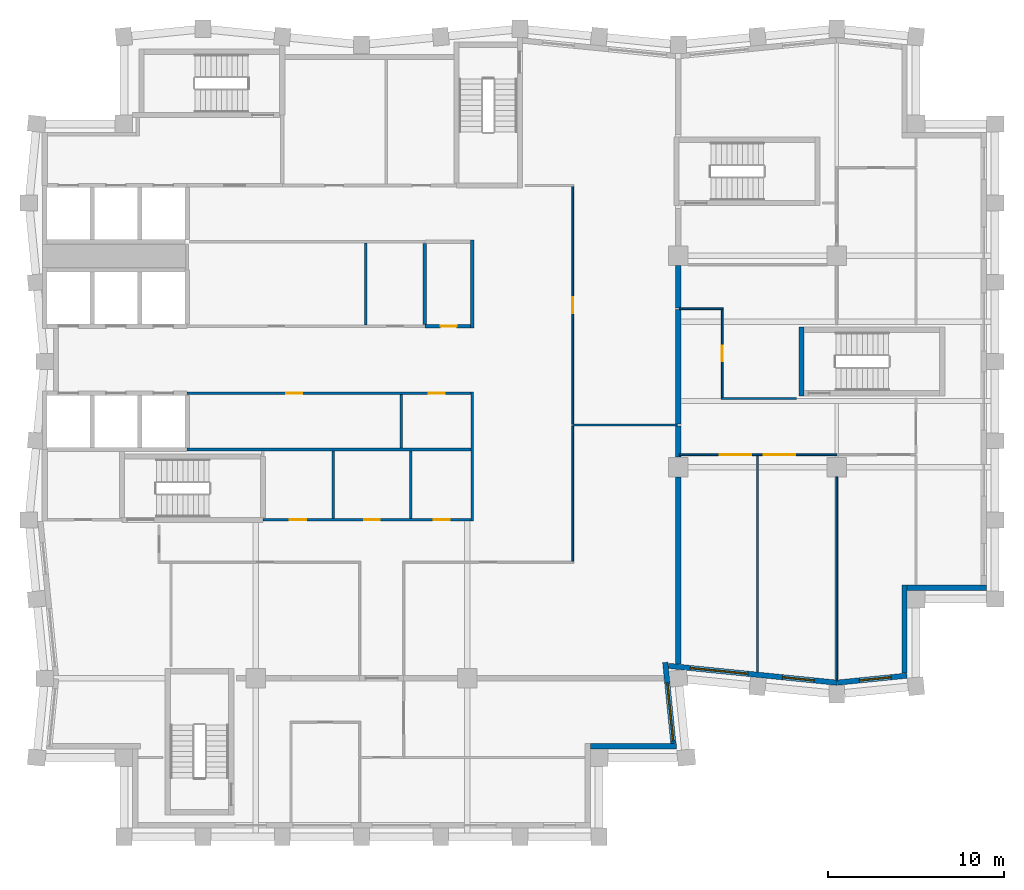
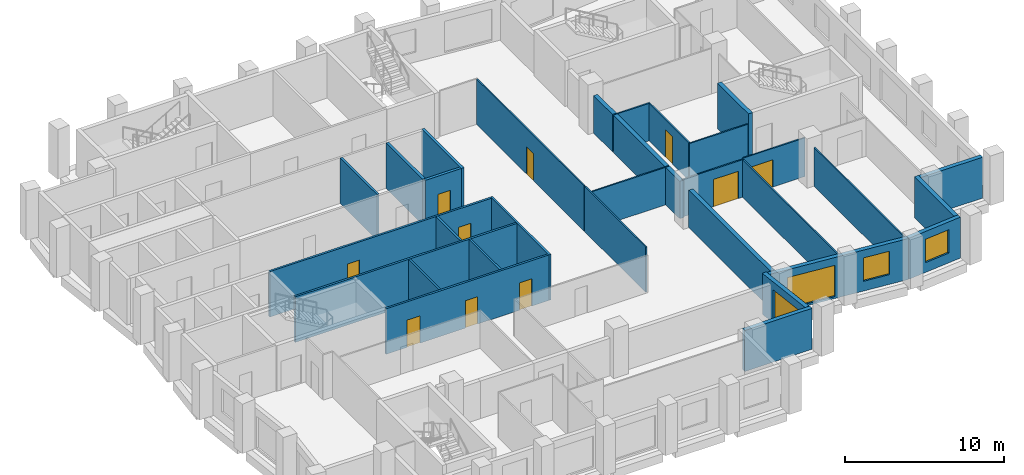
# One storey, part 4 of 8: 32 walls, 10 doors, 4 windows, 14 openings.
"""IFC4 building model written with IfcOpenShell, lengths in metres."""

from ifc_helpers import new_model, si_unit, direction, frame, frame_2d, origin, place, context, subcontext, project, spatial, rectangle, extrude, material, layer, layer_set, type_object, element, fill, save


model = new_model("IFC4")

# Units and contexts
model_context = context("Model", 3, precision=1e-05, world=origin(), true_north=direction((0.0, 1.0)))
body_context = subcontext(model_context, "Body", "Model", "MODEL_VIEW")
ifc_project = project(units=[si_unit("LENGTHUNIT", "METRE"), si_unit("AREAUNIT", "SQUARE_METRE"), si_unit("VOLUMEUNIT", "CUBIC_METRE"), si_unit("PLANEANGLEUNIT", "RADIAN"), si_unit("MASSUNIT", "GRAM", prefix="KILO")], contexts=[model_context])

# Site, building, storey
site_placement = place(None, origin())
site = spatial("IfcSite", under=ifc_project, at=site_placement, CompositionType="ELEMENT")
building_placement = place(site_placement, origin())
building = spatial("IfcBuilding", under=site, at=building_placement, Name="Brondeck Convention Tower", CompositionType="ELEMENT")
storey_placement = place(building_placement, frame((0.0, 0.0, 210.199951171875)))
storey = spatial("IfcBuildingStorey", under=building, at=storey_placement, Name="L51", CompositionType="ELEMENT", Elevation=210.199951171875)

# Walls
ifc_material_1 = material(Name="Concrete compartment wall C30/37", Category="concrete")
ifc_layer_1 = layer(ifc_material_1, 0.300048828125)
ifc_layer_set_1 = layer_set([ifc_layer_1], Name="Compartment wall 300")
wall_type_1 = type_object("IfcWallType", Name="Compartment wall 300", PredefinedType="PARTITIONING", material=ifc_layer_set_1)
wall_1_placement = place(storey_placement, frame((36.0, 27.823974609375, 0.0), z_axis=(0.0, 0.0, 1.0), x_axis=(0.0, 1.0, 0.0)))
element("IfcWall", 1, at=wall_1_placement, inside=storey, type_object=wall_type_1, Name="FLR-L51-W021", PredefinedType="PARTITIONING", context=body_context, shape_type="SweptSolid", body=[
    extrude(rectangle(XDim=10.62109375, YDim=0.300048828125, at=frame_2d((5.310546875, 0.0))), origin(), (0.0, 0.0, 1.0), 2.880126953125),
])
wall_2_placement = place(storey_placement, frame((36.0, 39.570068359375, 0.0), z_axis=(0.0, 0.0, 1.0), x_axis=(0.0, 1.0, 0.0)))
element("IfcWall", 2, at=wall_2_placement, inside=storey, type_object=wall_type_1, Name="FLR-L51-W035", PredefinedType="PARTITIONING", context=body_context, shape_type="SweptSolid", body=[
    extrude(rectangle(XDim=1.77197265625, YDim=0.300048828125, at=frame_2d((0.885986328125, 0.0))), origin(), (0.0, 0.0, 1.0), 2.880126953125),
])
wall_3_placement = place(storey_placement, frame((36.0, 41.44189453125, 0.0), z_axis=(0.0, 0.0, 1.0), x_axis=(0.0, 1.0, 0.0)))
element("IfcWall", 3, at=wall_3_placement, inside=storey, type_object=wall_type_1, Name="FLR-L51-W038", PredefinedType="PARTITIONING", context=body_context, shape_type="SweptSolid", body=[
    extrude(rectangle(XDim=6.508056640625, YDim=0.300048828125, at=frame_2d((3.25390625, 0.0))), origin(), (0.0, 0.0, 1.0), 2.880126953125),
])
wall_4_placement = place(storey_placement, frame((36.0, 48.050048828125, 0.0), z_axis=(0.0, 0.0, 1.0), x_axis=(0.0, 1.0, 0.0)))
element("IfcWall", 4, at=wall_4_placement, inside=storey, type_object=wall_type_1, Name="FLR-L51-W044", PredefinedType="PARTITIONING", context=body_context, shape_type="SweptSolid", body=[
    extrude(rectangle(XDim=2.39501953125, YDim=0.300048828125, at=frame_2d((1.197509765625, 0.0))), origin(), (0.0, 0.0, 1.0), 2.880126953125),
])

# Wall, openings, doors
ifc_material_2 = material(Name="Concrete C50/60", Category="concrete")
ifc_layer_2 = layer(ifc_material_2, 0.14990234375)
ifc_layer_set_2 = layer_set([ifc_layer_2], Name="Core beam-seat wall 150 Concrete C50/60")
wall_type_2 = type_object("IfcWallType", Name="Core beam-seat wall 150 Concrete C50/60", PredefinedType="SHEAR", material=ifc_layer_set_2)
wall_5_placement = place(storey_placement, frame((12.39990234375, 36.0, 0.0), z_axis=(0.0, 0.0, 1.0), x_axis=(1.0, 0.0, 0.0)))
wall_5 = element("IfcWall", 5, at=wall_5_placement, inside=storey, type_object=wall_type_2, Name="L51 core wall", PredefinedType="SHEAR", context=body_context, shape_type="SweptSolid", body=[
    extrude(rectangle(XDim=11.8251953125, YDim=0.14990234375, at=frame_2d((5.91259765625, 0.0))), origin(), (0.0, 0.0, 1.0), 3.5),
])
opening_1_placement = place(wall_5_placement, frame((1.52490234375, 0.0, 0.0)))
opening_1 = element("IfcOpeningElement", 6, at=opening_1_placement, cuts=wall_5, Name="Opening C29-03", PredefinedType="OPENING", context=body_context, shape_type="SweptSolid", body=[
    extrude(rectangle(XDim=0.949951171875, YDim=2.10009765625, at=frame_2d((0.47509765625, 1.050048828125))), frame((0.0, 0.0849609375, 0.0), z_axis=(0.0, -1.0, 0.0), x_axis=(1.0, 0.0, 0.0)), (0.0, 0.0, 1.0), 0.169921875),
])
opening_2_placement = place(wall_5_placement, frame((5.75, 0.0, 0.0)))
opening_2 = element("IfcOpeningElement", 7, at=opening_2_placement, cuts=wall_5, Name="Opening C29-04", PredefinedType="OPENING", context=body_context, shape_type="SweptSolid", body=[
    extrude(rectangle(XDim=0.89990234375, YDim=2.10009765625, at=frame_2d((0.449951171875, 1.050048828125))), frame((0.0, 0.0849609375, 0.0), z_axis=(0.0, -1.0, 0.0), x_axis=(1.0, 0.0, 0.0)), (0.0, 0.0, 1.0), 0.169921875),
])
opening_3_placement = place(wall_5_placement, frame((9.699951171875, 0.0, 0.0)))
opening_3 = element("IfcOpeningElement", 8, at=opening_3_placement, cuts=wall_5, Name="Opening C29-05", PredefinedType="OPENING", context=body_context, shape_type="SweptSolid", body=[
    extrude(rectangle(XDim=0.89990234375, YDim=2.10009765625, at=frame_2d((0.449951171875, 1.050048828125))), frame((0.0, 0.0849609375, 0.0), z_axis=(0.0, -1.0, 0.0), x_axis=(1.0, 0.0, 0.0)), (0.0, 0.0, 1.0), 0.169921875),
])
ifc_material_3 = material(Name="Steel fire door", Category="steel")
door_type_1 = type_object("IfcDoorType", Name="Room door 900x2100 EI 60", OperationType="NOTDEFINED", PredefinedType="DOOR", material=ifc_material_3)
door_1_placement = place(opening_2_placement, origin())
door_1 = element("IfcDoor", 9, at=door_1_placement, inside=storey, type_object=door_type_1, Name="L51 Room door FR-2", OperationType="SINGLE_SWING_LEFT", OverallHeight=2.10009765625, OverallWidth=0.89990234375, PredefinedType="DOOR", context=body_context, shape_type="SweptSolid", body=[
    extrude(rectangle(XDim=0.89990234375, YDim=2.10009765625, at=frame_2d((0.449951171875, 1.050048828125))), frame((0.0, 0.02490234375, 0.0), z_axis=(0.0, -1.0, 0.0), x_axis=(1.0, 0.0, 0.0)), (0.0, 0.0, 1.0), 0.050048828125),
])
fill(opening_2, door_1)
door_2_placement = place(opening_3_placement, origin())
door_2 = element("IfcDoor", 10, at=door_2_placement, inside=storey, type_object=door_type_1, Name="L51 Room door FR-3", OperationType="SINGLE_SWING_RIGHT", OverallHeight=2.10009765625, OverallWidth=0.89990234375, PredefinedType="DOOR", context=body_context, shape_type="SweptSolid", body=[
    extrude(rectangle(XDim=0.89990234375, YDim=2.10009765625, at=frame_2d((0.449951171875, 1.050048828125))), frame((0.0, 0.02490234375, 0.0), z_axis=(0.0, -1.0, 0.0), x_axis=(1.0, 0.0, 0.0)), (0.0, 0.0, 1.0), 0.050048828125),
])
fill(opening_3, door_2)
door_type_2 = type_object("IfcDoorType", Name="Room door 950x2100 EI 60", OperationType="NOTDEFINED", PredefinedType="DOOR", material=ifc_material_3)
door_3_placement = place(opening_1_placement, origin())
door_3 = element("IfcDoor", 11, at=door_3_placement, inside=storey, type_object=door_type_2, Name="L51 Room door FR-1", OperationType="SINGLE_SWING_RIGHT", OverallHeight=2.10009765625, OverallWidth=0.949951171875, PredefinedType="DOOR", context=body_context, shape_type="SweptSolid", body=[
    extrude(rectangle(XDim=0.949951171875, YDim=2.10009765625, at=frame_2d((0.47509765625, 1.050048828125))), frame((0.0, 0.02490234375, 0.0), z_axis=(0.0, -1.0, 0.0), x_axis=(1.0, 0.0, 0.0)), (0.0, 0.0, 1.0), 0.050048828125),
])
fill(opening_1, door_3)

# Walls
ifc_layer_3 = layer(ifc_material_2, 0.199951171875)
ifc_layer_set_3 = layer_set([ifc_layer_3], Name="Core beam-seat wall 200 Concrete C50/60")
wall_type_3 = type_object("IfcWallType", Name="Core beam-seat wall 200 Concrete C50/60", PredefinedType="SHEAR", material=ifc_layer_set_3)
wall_6_placement = place(storey_placement, frame((24.300048828125, 46.89990234375, 0.0), z_axis=(0.0, 0.0, 1.0), x_axis=(0.0, 1.0, 0.0)))
element("IfcWall", 12, at=wall_6_placement, inside=storey, type_object=wall_type_3, Name="L51 core wall", PredefinedType="SHEAR", context=body_context, shape_type="SweptSolid", body=[
    extrude(rectangle(XDim=5.0, YDim=0.199951171875, at=frame_2d((2.5, 0.0))), origin(), (0.0, 0.0, 1.0), 3.5),
])
ifc_material_4 = material(Name="Fire-rated gypsum board partition")
ifc_layer_4 = layer(ifc_material_4, 0.14990234375)
ifc_layer_set_4 = layer_set([ifc_layer_4], Name="Core partition 150 EI 60")
wall_type_4 = type_object("IfcWallType", Name="Core partition 150 EI 60", PredefinedType="PARTITIONING", material=ifc_layer_set_4)
wall_7_placement = place(storey_placement, frame((8.10009765625, 40.0, 0.0), z_axis=(0.0, 0.0, 1.0), x_axis=(1.0, 0.0, 0.0)))
element("IfcWall", 13, at=wall_7_placement, inside=storey, type_object=wall_type_4, Name="L51 core wall", PredefinedType="PARTITIONING", context=body_context, shape_type="SweptSolid", body=[
    extrude(rectangle(XDim=16.125, YDim=0.14990234375, at=frame_2d((8.0625, 0.0))), origin(), (0.0, 0.0, 1.0), 3.5),
])

# Wall, openings, doors
wall_8_placement = place(storey_placement, frame((8.10009765625, 43.199951171875, 0.0), z_axis=(0.0, 0.0, 1.0), x_axis=(1.0, 0.0, 0.0)))
wall_8 = element("IfcWall", 14, at=wall_8_placement, inside=storey, type_object=wall_type_4, Name="L51 core wall", PredefinedType="PARTITIONING", context=body_context, shape_type="SweptSolid", body=[
    extrude(rectangle(XDim=16.125, YDim=0.14990234375, at=frame_2d((8.0625, 0.0))), origin(), (0.0, 0.0, 1.0), 3.5),
])
opening_4_placement = place(wall_8_placement, frame((5.625, 0.0, 0.0)))
opening_4 = element("IfcOpeningElement", 15, at=opening_4_placement, cuts=wall_8, Name="Opening C29-09", PredefinedType="OPENING", context=body_context, shape_type="SweptSolid", body=[
    extrude(rectangle(XDim=0.89990234375, YDim=2.10009765625, at=frame_2d((0.449951171875, 1.050048828125))), frame((0.0, 0.0849609375, 0.0), z_axis=(0.0, -1.0, 0.0), x_axis=(1.0, 0.0, 0.0)), (0.0, 0.0, 1.0), 0.169921875),
])
opening_5_placement = place(wall_8_placement, frame((13.72509765625, 0.0, 0.0)))
opening_5 = element("IfcOpeningElement", 16, at=opening_5_placement, cuts=wall_8, Name="Opening C29-10", PredefinedType="OPENING", context=body_context, shape_type="SweptSolid", body=[
    extrude(rectangle(XDim=0.89990234375, YDim=2.10009765625, at=frame_2d((0.449951171875, 1.050048828125))), frame((0.0, 0.0849609375, 0.0), z_axis=(0.0, -1.0, 0.0), x_axis=(1.0, 0.0, 0.0)), (0.0, 0.0, 1.0), 0.169921875),
])
door_4_placement = place(opening_4_placement, origin())
door_4 = element("IfcDoor", 17, at=door_4_placement, inside=storey, type_object=door_type_1, Name="L51 Room door FZ-S-8.1-1", OperationType="SINGLE_SWING_RIGHT", OverallHeight=2.10009765625, OverallWidth=0.89990234375, PredefinedType="DOOR", context=body_context, shape_type="SweptSolid", body=[
    extrude(rectangle(XDim=0.89990234375, YDim=2.10009765625, at=frame_2d((0.449951171875, 1.050048828125))), frame((0.0, 0.02490234375, 0.0), z_axis=(0.0, -1.0, 0.0), x_axis=(1.0, 0.0, 0.0)), (0.0, 0.0, 1.0), 0.050048828125),
])
fill(opening_4, door_4)
door_5_placement = place(opening_5_placement, origin())
door_5 = element("IfcDoor", 18, at=door_5_placement, inside=storey, type_object=door_type_1, Name="L51 Room door FZ-S-8.1-2", OperationType="SINGLE_SWING_LEFT", OverallHeight=2.10009765625, OverallWidth=0.89990234375, PredefinedType="DOOR", context=body_context, shape_type="SweptSolid", body=[
    extrude(rectangle(XDim=0.89990234375, YDim=2.10009765625, at=frame_2d((0.449951171875, 1.050048828125))), frame((0.0, 0.02490234375, 0.0), z_axis=(0.0, -1.0, 0.0), x_axis=(1.0, 0.0, 0.0)), (0.0, 0.0, 1.0), 0.050048828125),
])
fill(opening_5, door_5)

# Walls
wall_9_placement = place(storey_placement, frame((16.39990234375, 36.074951171875, 0.0), z_axis=(0.0, 0.0, 1.0), x_axis=(0.0, 1.0, 0.0)))
element("IfcWall", 19, at=wall_9_placement, inside=storey, type_object=wall_type_4, Name="L51 core wall", PredefinedType="PARTITIONING", context=body_context, shape_type="SweptSolid", body=[
    extrude(rectangle(XDim=3.85009765625, YDim=0.14990234375, at=frame_2d((1.925048828125, 0.0))), origin(), (0.0, 0.0, 1.0), 3.5),
])
wall_10_placement = place(storey_placement, frame((18.25, 47.074951171875, 0.0), z_axis=(0.0, 0.0, 1.0), x_axis=(0.0, 1.0, 0.0)))
element("IfcWall", 20, at=wall_10_placement, inside=storey, type_object=wall_type_4, Name="L51 core wall", PredefinedType="PARTITIONING", context=body_context, shape_type="SweptSolid", body=[
    extrude(rectangle(XDim=4.650146484375, YDim=0.14990234375, at=frame_2d((2.3251953125, 0.0))), origin(), (0.0, 0.0, 1.0), 3.5),
])
wall_11_placement = place(storey_placement, frame((20.25, 40.074951171875, 0.0), z_axis=(0.0, 0.0, 1.0), x_axis=(0.0, 1.0, 0.0)))
element("IfcWall", 21, at=wall_11_placement, inside=storey, type_object=wall_type_4, Name="L51 core wall", PredefinedType="PARTITIONING", context=body_context, shape_type="SweptSolid", body=[
    extrude(rectangle(XDim=3.050048828125, YDim=0.14990234375, at=frame_2d((1.52490234375, 0.0))), origin(), (0.0, 0.0, 1.0), 3.5),
])
wall_12_placement = place(storey_placement, frame((20.800048828125, 36.074951171875, 0.0), z_axis=(0.0, 0.0, 1.0), x_axis=(0.0, 1.0, 0.0)))
element("IfcWall", 22, at=wall_12_placement, inside=storey, type_object=wall_type_4, Name="L51 core wall", PredefinedType="PARTITIONING", context=body_context, shape_type="SweptSolid", body=[
    extrude(rectangle(XDim=3.85009765625, YDim=0.14990234375, at=frame_2d((1.925048828125, 0.0))), origin(), (0.0, 0.0, 1.0), 3.5),
])
wall_13_placement = place(storey_placement, frame((24.300048828125, 35.925048828125, 0.0), z_axis=(0.0, 0.0, 1.0), x_axis=(0.0, 1.0, 0.0)))
element("IfcWall", 23, at=wall_13_placement, inside=storey, type_object=wall_type_4, Name="L51 core wall", PredefinedType="PARTITIONING", context=body_context, shape_type="SweptSolid", body=[
    extrude(rectangle(XDim=7.349853515625, YDim=0.14990234375, at=frame_2d((3.6748046875, 0.0))), origin(), (0.0, 0.0, 1.0), 3.5),
])
ifc_material_5 = material(Name="Precast concrete C50/60 bronze finish", Category="concrete")
ifc_layer_5 = layer(ifc_material_5, 0.070068359375, Name="Bronze precast facing")
ifc_material_6 = material(Name="Mineral wool")
ifc_layer_6 = layer(ifc_material_6, 0.159912109375, Name="Insulation")
ifc_material_7 = material(Name="Concrete C35/45", Category="concrete")
ifc_layer_7 = layer(ifc_material_7, 0.070068359375, Name="Backing")
ifc_layer_set_5 = layer_set([ifc_layer_5, ifc_layer_6, ifc_layer_7], Name="External infill wall, precast concrete C50/60 bronze facing")
wall_type_5 = type_object("IfcWallType", Name="External infill wall, precast concrete C50/60 bronze facing", PredefinedType="SOLIDWALL", material=ifc_layer_set_5)
wall_14_placement = place(storey_placement, frame((35.8974609375, 23.14990234375, 0.0), z_axis=(0.0, 0.0, 1.0), x_axis=(-1.0, 0.0, 0.0)))
element("IfcWall", 24, at=wall_14_placement, inside=storey, type_object=wall_type_5, Name="ENV-EW-L51-P2-NC-SEB18-02", PredefinedType="SOLIDWALL", context=body_context, shape_type="SweptSolid", body=[
    extrude(rectangle(XDim=4.8974609375, YDim=0.300048828125, at=frame_2d((2.44873046875, 0.0))), origin(), (0.0, 0.0, 1.0), 3.150146484375),
])

# Wall, opening, window
wall_15_placement = place(storey_placement, frame((35.255859375, 27.908203125, 0.0), z_axis=(0.0, 0.0, 1.0), x_axis=(0.099535070904, -0.995034054523, 0.0)))
wall_15 = element("IfcWall", 25, at=wall_15_placement, inside=storey, type_object=wall_type_5, Name="ENV-EW-L51-P2-B-E-00", PredefinedType="SOLIDWALL", context=body_context, shape_type="SweptSolid", body=[
    extrude(rectangle(XDim=4.6259765625, YDim=0.300048828125, at=frame_2d((2.31298828125, 0.0))), origin(), (0.0, 0.0, 1.0), 3.150146484375),
])
opening_6_placement = place(wall_15_placement, frame((1.176025390625, 0.0, 0.14990234375)))
opening_6 = element("IfcOpeningElement", 26, at=opening_6_placement, cuts=wall_15, Name="Opening W9", PredefinedType="OPENING", context=body_context, shape_type="SweptSolid", body=[
    extrude(rectangle(XDim=3.300048828125, YDim=2.39990234375, at=frame_2d((1.64990234375, 1.199951171875))), frame((0.0, 0.159912109375, 0.0), z_axis=(0.0, -1.0, 0.0), x_axis=(1.0, 0.0, 0.0)), (0.0, 0.0, 1.0), 0.320068359375),
])
ifc_material_8 = material(Name="Bronze tinted double glazing", Category="glass")
window_type_1 = type_object("IfcWindowType", Name="Glazed flute window, bronze tinted", PartitioningType="SINGLE_PANEL", PredefinedType="WINDOW", material=ifc_material_8)
window_1_placement = place(opening_6_placement, origin())
window_1 = element("IfcWindow", 27, at=window_1_placement, inside=storey, type_object=window_type_1, Name="ENV-WN-L51-P2-B-E-00", OverallHeight=2.39990234375, OverallWidth=3.300048828125, PartitioningType="SINGLE_PANEL", PredefinedType="WINDOW", context=body_context, shape_type="SweptSolid", body=[
    extrude(rectangle(XDim=3.300048828125, YDim=2.39990234375, at=frame_2d((1.64990234375, 1.199951171875))), frame((0.0, 0.030029296875, 0.0), z_axis=(0.0, -1.0, 0.0), x_axis=(1.0, 0.0, 0.0)), (0.0, 0.0, 1.0), 0.06005859375),
])
fill(opening_6, window_1)

# Wall, openings, windows
wall_16_placement = place(storey_placement, frame((45.014892578125, 26.751708984375, 0.0), z_axis=(0.0, 0.0, 1.0), x_axis=(-0.9950379439, 0.099496181828, 0.0)))
wall_16 = element("IfcWall", 28, at=wall_16_placement, inside=storey, type_object=wall_type_5, Name="ENV-EW-L51-P2-A-S-00", PredefinedType="SOLIDWALL", context=body_context, shape_type="SweptSolid", body=[
    extrude(rectangle(XDim=9.621337890625, YDim=0.300048828125, at=frame_2d((4.810546875, 0.0))), origin(), (0.0, 0.0, 1.0), 3.150146484375),
])
opening_7_placement = place(wall_16_placement, frame((1.311279296875, 0.0, 0.75)))
opening_7 = element("IfcOpeningElement", 29, at=opening_7_placement, cuts=wall_16, Name="Opening W10", PredefinedType="OPENING", context=body_context, shape_type="SweptSolid", body=[
    extrude(rectangle(XDim=1.800048828125, YDim=1.800048828125, at=frame_2d((0.89990234375, 0.89990234375))), frame((0.0, 0.159912109375, 0.0), z_axis=(0.0, -1.0, 0.0), x_axis=(1.0, 0.0, 0.0)), (0.0, 0.0, 1.0), 0.320068359375),
])
opening_8_placement = place(wall_16_placement, frame((5.08349609375, 0.0, 0.14990234375)))
opening_8 = element("IfcOpeningElement", 30, at=opening_8_placement, cuts=wall_16, Name="Opening W9", PredefinedType="OPENING", context=body_context, shape_type="SweptSolid", body=[
    extrude(rectangle(XDim=3.300048828125, YDim=2.39990234375, at=frame_2d((1.64990234375, 1.199951171875))), frame((0.0, 0.159912109375, 0.0), z_axis=(0.0, -1.0, 0.0), x_axis=(1.0, 0.0, 0.0)), (0.0, 0.0, 1.0), 0.320068359375),
])
window_2_placement = place(opening_8_placement, origin())
window_2 = element("IfcWindow", 31, at=window_2_placement, inside=storey, type_object=window_type_1, Name="ENV-WN-L51-P2-A-S-00", OverallHeight=2.39990234375, OverallWidth=3.300048828125, PartitioningType="SINGLE_PANEL", PredefinedType="WINDOW", context=body_context, shape_type="SweptSolid", body=[
    extrude(rectangle(XDim=3.300048828125, YDim=2.39990234375, at=frame_2d((1.64990234375, 1.199951171875))), frame((0.0, 0.030029296875, 0.0), z_axis=(0.0, -1.0, 0.0), x_axis=(1.0, 0.0, 0.0)), (0.0, 0.0, 1.0), 0.06005859375),
])
fill(opening_8, window_2)
window_type_2 = type_object("IfcWindowType", Name="Punched window, bronze tinted", PartitioningType="SINGLE_PANEL", PredefinedType="WINDOW", material=ifc_material_8)
window_3_placement = place(opening_7_placement, origin())
window_3 = element("IfcWindow", 32, at=window_3_placement, inside=storey, type_object=window_type_2, Name="ENV-WN-L51-P2-A-S-01", OverallHeight=1.800048828125, OverallWidth=1.800048828125, PartitioningType="SINGLE_PANEL", PredefinedType="WINDOW", context=body_context, shape_type="SweptSolid", body=[
    extrude(rectangle(XDim=1.800048828125, YDim=1.800048828125, at=frame_2d((0.89990234375, 0.89990234375))), frame((0.0, 0.030029296875, 0.0), z_axis=(0.0, -1.0, 0.0), x_axis=(1.0, 0.0, 0.0)), (0.0, 0.0, 1.0), 0.06005859375),
])
fill(opening_7, window_3)

# Wall, opening, window
wall_17_placement = place(storey_placement, frame((48.985107421875, 27.151611328125, 0.0), z_axis=(0.0, 0.0, 1.0), x_axis=(-0.995037798293, -0.099497638, 0.0)))
wall_17 = element("IfcWall", 33, at=wall_17_placement, inside=storey, type_object=wall_type_5, Name="ENV-EW-L51-P2-A-S-02", PredefinedType="SOLIDWALL", context=body_context, shape_type="SweptSolid", body=[
    extrude(rectangle(XDim=3.97509765625, YDim=0.300048828125, at=frame_2d((1.987548828125, 0.0))), origin(), (0.0, 0.0, 1.0), 3.150146484375),
])
opening_9_placement = place(wall_17_placement, frame((0.90869140625, 0.0, 0.75)))
opening_9 = element("IfcOpeningElement", 34, at=opening_9_placement, cuts=wall_17, Name="Opening W10", PredefinedType="OPENING", context=body_context, shape_type="SweptSolid", body=[
    extrude(rectangle(XDim=1.800048828125, YDim=1.800048828125, at=frame_2d((0.89990234375, 0.89990234375))), frame((0.0, 0.159912109375, 0.0), z_axis=(0.0, -1.0, 0.0), x_axis=(1.0, 0.0, 0.0)), (0.0, 0.0, 1.0), 0.320068359375),
])
window_4_placement = place(opening_9_placement, origin())
window_4 = element("IfcWindow", 35, at=window_4_placement, inside=storey, type_object=window_type_2, Name="ENV-WN-L51-P2-A-S-02", OverallHeight=1.800048828125, OverallWidth=1.800048828125, PartitioningType="SINGLE_PANEL", PredefinedType="WINDOW", context=body_context, shape_type="SweptSolid", body=[
    extrude(rectangle(XDim=1.800048828125, YDim=1.800048828125, at=frame_2d((0.89990234375, 0.89990234375))), frame((0.0, 0.030029296875, 0.0), z_axis=(0.0, -1.0, 0.0), x_axis=(1.0, 0.0, 0.0)), (0.0, 0.0, 1.0), 0.06005859375),
])
fill(opening_9, window_4)

# Walls
wall_18_placement = place(storey_placement, frame((48.85009765625, 32.300048828125, 0.0), z_axis=(0.0, 0.0, 1.0), x_axis=(0.0, -1.0, 0.0)))
element("IfcWall", 36, at=wall_18_placement, inside=storey, type_object=wall_type_5, Name="ENV-EW-L51-P2-NC-SEA54-01", PredefinedType="SOLIDWALL", context=body_context, shape_type="SweptSolid", body=[
    extrude(rectangle(XDim=5.009765625, YDim=0.300048828125, at=frame_2d((2.5048828125, 0.0))), origin(), (0.0, 0.0, 1.0), 3.150146484375),
])
wall_19_placement = place(storey_placement, frame((53.5, 32.14990234375, 0.0), z_axis=(0.0, 0.0, 1.0), x_axis=(-1.0, 0.0, 0.0)))
element("IfcWall", 37, at=wall_19_placement, inside=storey, type_object=wall_type_5, Name="ENV-EW-L51-P2-NC-SEA54-02", PredefinedType="SOLIDWALL", context=body_context, shape_type="SweptSolid", body=[
    extrude(rectangle(XDim=4.501953125, YDim=0.300048828125, at=frame_2d((2.2509765625, 0.0))), origin(), (0.0, 0.0, 1.0), 3.150146484375),
])

# Wall, opening, door
ifc_layer_8 = layer(ifc_material_4, 0.199951171875)
ifc_layer_set_6 = layer_set([ifc_layer_8], Name="Riser wall 200 EI 120")
wall_type_6 = type_object("IfcWallType", Name="Riser wall 200 EI 120", PredefinedType="PARTITIONING", material=ifc_layer_set_6)
wall_20_placement = place(storey_placement, frame((21.60009765625, 47.0, 0.0), z_axis=(0.0, 0.0, 1.0), x_axis=(1.0, 0.0, 0.0)))
wall_20 = element("IfcWall", 38, at=wall_20_placement, inside=storey, type_object=wall_type_6, Name="L51 core wall", PredefinedType="PARTITIONING", context=body_context, shape_type="SweptSolid", body=[
    extrude(rectangle(XDim=2.599853515625, YDim=0.199951171875, at=frame_2d((1.2998046875, 0.0))), origin(), (0.0, 0.0, 1.0), 3.5),
])
opening_10_placement = place(wall_20_placement, frame((0.89990234375, 0.0, 0.0)))
opening_10 = element("IfcOpeningElement", 39, at=opening_10_placement, cuts=wall_20, Name="Opening C29-02", PredefinedType="OPENING", context=body_context, shape_type="SweptSolid", body=[
    extrude(rectangle(XDim=0.89990234375, YDim=2.10009765625, at=frame_2d((0.449951171875, 1.050048828125))), frame((0.0, 0.10986328125, 0.0), z_axis=(0.0, -1.0, 0.0), x_axis=(1.0, 0.0, 0.0)), (0.0, 0.0, 1.0), 0.219970703125),
])
door_type_3 = type_object("IfcDoorType", Name="Riser door 900x2100 EI 120", OperationType="NOTDEFINED", PredefinedType="DOOR", material=ifc_material_3)
door_6_placement = place(opening_10_placement, origin())
door_6 = element("IfcDoor", 40, at=door_6_placement, inside=storey, type_object=door_type_3, Name="L51 Riser door EN-1", OperationType="SINGLE_SWING_LEFT", OverallHeight=2.10009765625, OverallWidth=0.89990234375, PredefinedType="DOOR", context=body_context, shape_type="SweptSolid", body=[
    extrude(rectangle(XDim=0.89990234375, YDim=2.10009765625, at=frame_2d((0.449951171875, 1.050048828125))), frame((0.0, 0.02490234375, 0.0), z_axis=(0.0, -1.0, 0.0), x_axis=(1.0, 0.0, 0.0)), (0.0, 0.0, 1.0), 0.050048828125),
])
fill(opening_10, door_6)

# Walls
wall_21_placement = place(storey_placement, frame((21.60009765625, 47.10009765625, 0.0), z_axis=(0.0, 0.0, 1.0), x_axis=(0.0, 1.0, 0.0)))
element("IfcWall", 41, at=wall_21_placement, inside=storey, type_object=wall_type_6, Name="L51 core wall", PredefinedType="PARTITIONING", context=body_context, shape_type="SweptSolid", body=[
    extrude(rectangle(XDim=4.599853515625, YDim=0.199951171875, at=frame_2d((2.2998046875, 0.0))), origin(), (0.0, 0.0, 1.0), 3.5),
])
ifc_material_9 = material(Name="Gypsum board partition on steel studs", Category="steel")
ifc_layer_9 = layer(ifc_material_9, 0.10009765625)
ifc_layer_set_7 = layer_set([ifc_layer_9], Name="Room partition 100")
wall_type_7 = type_object("IfcWallType", Name="Room partition 100", PredefinedType="PARTITIONING", material=ifc_layer_set_7)
wall_22_placement = place(storey_placement, frame((45.0, 38.445068359375, 0.0), z_axis=(0.0, 0.0, 1.0), x_axis=(0.0, -1.0, 0.0)))
element("IfcWall", 42, at=wall_22_placement, inside=storey, type_object=wall_type_7, Name="FLR-L51-W030", PredefinedType="PARTITIONING", context=body_context, shape_type="SweptSolid", body=[
    extrude(rectangle(XDim=11.52099609375, YDim=0.10009765625, at=frame_2d((5.760498046875, 0.0))), origin(), (0.0, 0.0, 1.0), 2.97998046875),
])
wall_23_placement = place(storey_placement, frame((40.5, 39.64990234375, 0.0), z_axis=(0.0, 0.0, 1.0), x_axis=(0.0, -1.0, 0.0)))
element("IfcWall", 43, at=wall_23_placement, inside=storey, type_object=wall_type_7, Name="FLR-L51-W031", PredefinedType="PARTITIONING", context=body_context, shape_type="SweptSolid", body=[
    extrude(rectangle(XDim=12.27587890625, YDim=0.10009765625, at=frame_2d((6.137939453125, 0.0))), origin(), (0.0, 0.0, 1.0), 2.880126953125),
])

# Wall, opening, door
wall_24_placement = place(storey_placement, frame((40.5, 39.699951171875, 0.0), z_axis=(0.0, 0.0, 1.0), x_axis=(-1.0, 0.0, 0.0)))
wall_24 = element("IfcWall", 44, at=wall_24_placement, inside=storey, type_object=wall_type_7, Name="FLR-L51-W032", PredefinedType="PARTITIONING", context=body_context, shape_type="SweptSolid", body=[
    extrude(rectangle(XDim=4.449951171875, YDim=0.10009765625, at=frame_2d((2.22509765625, 0.0))), origin(), (0.0, 0.0, 1.0), 2.880126953125),
])
opening_11_placement = place(wall_24_placement, frame((0.35400390625, 0.0, 0.0)))
opening_11 = element("IfcOpeningElement", 45, at=opening_11_placement, cuts=wall_24, Name="Opening OF-L-004", PredefinedType="OPENING", context=body_context, shape_type="SweptSolid", body=[
    extrude(rectangle(XDim=1.800048828125, YDim=2.10009765625, at=frame_2d((0.89990234375, 1.050048828125))), frame((0.0, 0.06005859375, 0.0), z_axis=(0.0, -1.0, 0.0), x_axis=(1.0, 0.0, 0.0)), (0.0, 0.0, 1.0), 0.1201171875),
])
ifc_material_10 = material(Name="Glazed timber double door", Category="wood")
door_type_4 = type_object("IfcDoorType", Name="Double door 1800", OperationType="DOUBLE_DOOR_SINGLE_SWING", PredefinedType="DOOR", material=ifc_material_10)
door_7_placement = place(opening_11_placement, origin())
door_7 = element("IfcDoor", 46, at=door_7_placement, inside=storey, type_object=door_type_4, Name="Door OF-L-004", OperationType="DOUBLE_DOOR_SINGLE_SWING", OverallHeight=2.10009765625, OverallWidth=1.800048828125, PredefinedType="DOOR", context=body_context, shape_type="SweptSolid", body=[
    extrude(rectangle(XDim=1.800048828125, YDim=2.10009765625, at=frame_2d((0.89990234375, 1.050048828125))), frame((0.0, 0.02490234375, 0.0), z_axis=(0.0, -1.0, 0.0), x_axis=(1.0, 0.0, 0.0)), (0.0, 0.0, 1.0), 0.050048828125),
])
fill(opening_11, door_7)

wall_25_placement = place(storey_placement, frame((45.0, 39.699951171875, 0.0), z_axis=(0.0, 0.0, 1.0), x_axis=(-1.0, 0.0, 0.0)))
wall_25 = element("IfcWall", 47, at=wall_25_placement, inside=storey, type_object=wall_type_7, Name="FLR-L51-W033", PredefinedType="PARTITIONING", context=body_context, shape_type="SweptSolid", body=[
    extrude(rectangle(XDim=4.5, YDim=0.10009765625, at=frame_2d((2.25, 0.0))), origin(), (0.0, 0.0, 1.0), 2.97998046875),
])
opening_12_placement = place(wall_25_placement, frame((2.345947265625, 0.0, 0.0)))
opening_12 = element("IfcOpeningElement", 48, at=opening_12_placement, cuts=wall_25, Name="Opening OF-L-005", PredefinedType="OPENING", context=body_context, shape_type="SweptSolid", body=[
    extrude(rectangle(XDim=1.800048828125, YDim=2.10009765625, at=frame_2d((0.89990234375, 1.050048828125))), frame((0.0, 0.06005859375, 0.0), z_axis=(0.0, -1.0, 0.0), x_axis=(1.0, 0.0, 0.0)), (0.0, 0.0, 1.0), 0.1201171875),
])
door_8_placement = place(opening_12_placement, origin())
door_8 = element("IfcDoor", 49, at=door_8_placement, inside=storey, type_object=door_type_4, Name="Door OF-L-005", OperationType="DOUBLE_DOOR_SINGLE_SWING", OverallHeight=2.10009765625, OverallWidth=1.800048828125, PredefinedType="DOOR", context=body_context, shape_type="SweptSolid", body=[
    extrude(rectangle(XDim=1.800048828125, YDim=2.10009765625, at=frame_2d((0.89990234375, 1.050048828125))), frame((0.0, 0.02490234375, 0.0), z_axis=(0.0, -1.0, 0.0), x_axis=(1.0, 0.0, 0.0)), (0.0, 0.0, 1.0), 0.050048828125),
])
fill(opening_12, door_8)

# Walls
wall_26_placement = place(storey_placement, frame((30.0, 41.342041015625, 0.0), z_axis=(0.0, 0.0, 1.0), x_axis=(0.0, -1.0, 0.0)))
element("IfcWall", 50, at=wall_26_placement, inside=storey, type_object=wall_type_7, Name="FLR-L51-W036", PredefinedType="PARTITIONING", context=body_context, shape_type="SweptSolid", body=[
    extrude(rectangle(XDim=7.692138671875, YDim=0.10009765625, at=frame_2d((3.84619140625, 0.0))), origin(), (0.0, 0.0, 1.0), 3.47998046875),
])
wall_27_placement = place(storey_placement, frame((30.050048828125, 41.39208984375, 0.0), z_axis=(0.0, 0.0, 1.0), x_axis=(1.0, 0.0, 0.0)))
element("IfcWall", 51, at=wall_27_placement, inside=storey, type_object=wall_type_7, Name="FLR-L51-W037", PredefinedType="PARTITIONING", context=body_context, shape_type="SweptSolid", body=[
    extrude(rectangle(XDim=5.89990234375, YDim=0.10009765625, at=frame_2d((2.949951171875, 0.0))), origin(), (0.0, 0.0, 1.0), 2.880126953125),
])
wall_28_placement = place(storey_placement, frame((38.449951171875, 42.89990234375, 0.0), z_axis=(0.0, 0.0, 1.0), x_axis=(1.0, 0.0, 0.0)))
element("IfcWall", 52, at=wall_28_placement, inside=storey, type_object=wall_type_7, Name="FLR-L51-W039", PredefinedType="PARTITIONING", context=body_context, shape_type="SweptSolid", body=[
    extrude(rectangle(XDim=4.25, YDim=0.10009765625, at=frame_2d((2.125, 0.0))), origin(), (0.0, 0.0, 1.0), 2.880126953125),
])

# Wall, opening, door
wall_29_placement = place(storey_placement, frame((38.5, 47.949951171875, 0.0), z_axis=(0.0, 0.0, 1.0), x_axis=(0.0, -1.0, 0.0)))
wall_29 = element("IfcWall", 53, at=wall_29_placement, inside=storey, type_object=wall_type_7, Name="FLR-L51-W042", PredefinedType="PARTITIONING", context=body_context, shape_type="SweptSolid", body=[
    extrude(rectangle(XDim=5.0, YDim=0.10009765625, at=frame_2d((2.5, 0.0))), origin(), (0.0, 0.0, 1.0), 2.880126953125),
])
opening_13_placement = place(wall_29_placement, frame((2.050048828125, 0.0, 0.0)))
opening_13 = element("IfcOpeningElement", 54, at=opening_13_placement, cuts=wall_29, Name="Opening OF-L-001", PredefinedType="OPENING", context=body_context, shape_type="SweptSolid", body=[
    extrude(rectangle(XDim=0.89990234375, YDim=2.10009765625, at=frame_2d((0.449951171875, 1.050048828125))), frame((0.0, 0.06005859375, 0.0), z_axis=(0.0, -1.0, 0.0), x_axis=(1.0, 0.0, 0.0)), (0.0, 0.0, 1.0), 0.1201171875),
])
ifc_material_11 = material(Name="Solid timber door leaf", Category="wood")
door_type_5 = type_object("IfcDoorType", Name="Single door 900", OperationType="NOTDEFINED", PredefinedType="DOOR", material=ifc_material_11)
door_9_placement = place(opening_13_placement, origin())
door_9 = element("IfcDoor", 55, at=door_9_placement, inside=storey, type_object=door_type_5, Name="Door OF-L-001", OperationType="SINGLE_SWING_RIGHT", OverallHeight=2.10009765625, OverallWidth=0.89990234375, PredefinedType="DOOR", context=body_context, shape_type="SweptSolid", body=[
    extrude(rectangle(XDim=0.89990234375, YDim=2.10009765625, at=frame_2d((0.449951171875, 1.050048828125))), frame((0.0, 0.02490234375, 0.0), z_axis=(0.0, -1.0, 0.0), x_axis=(1.0, 0.0, 0.0)), (0.0, 0.0, 1.0), 0.050048828125),
])
fill(opening_13, door_9)

# Wall
wall_30_placement = place(storey_placement, frame((36.050048828125, 48.0, 0.0), z_axis=(0.0, 0.0, 1.0), x_axis=(1.0, 0.0, 0.0)))
element("IfcWall", 56, at=wall_30_placement, inside=storey, type_object=wall_type_7, Name="FLR-L51-W043", PredefinedType="PARTITIONING", context=body_context, shape_type="SweptSolid", body=[
    extrude(rectangle(XDim=2.5, YDim=0.10009765625, at=frame_2d((1.25, 0.0))), origin(), (0.0, 0.0, 1.0), 2.880126953125),
])

# Wall, opening, door
wall_31_placement = place(storey_placement, frame((30.0, 54.949951171875, 0.0), z_axis=(0.0, 0.0, 1.0), x_axis=(0.0, -1.0, 0.0)))
wall_31 = element("IfcWall", 57, at=wall_31_placement, inside=storey, type_object=wall_type_7, Name="FLR-L51-W051", PredefinedType="PARTITIONING", context=body_context, shape_type="SweptSolid", body=[
    extrude(rectangle(XDim=13.508056640625, YDim=0.10009765625, at=frame_2d((6.75390625, 0.0))), origin(), (0.0, 0.0, 1.0), 3.47998046875),
])
opening_14_placement = place(wall_31_placement, frame((6.303955078125, 0.0, 0.0)))
opening_14 = element("IfcOpeningElement", 58, at=opening_14_placement, cuts=wall_31, Name="Opening OF-L-014", PredefinedType="OPENING", context=body_context, shape_type="SweptSolid", body=[
    extrude(rectangle(XDim=0.89990234375, YDim=2.10009765625, at=frame_2d((0.449951171875, 1.050048828125))), frame((0.0, 0.06005859375, 0.0), z_axis=(0.0, -1.0, 0.0), x_axis=(1.0, 0.0, 0.0)), (0.0, 0.0, 1.0), 0.1201171875),
])
door_10_placement = place(opening_14_placement, origin())
door_10 = element("IfcDoor", 59, at=door_10_placement, inside=storey, type_object=door_type_5, Name="Door OF-L-014", OperationType="SINGLE_SWING_RIGHT", OverallHeight=2.10009765625, OverallWidth=0.89990234375, PredefinedType="DOOR", context=body_context, shape_type="SweptSolid", body=[
    extrude(rectangle(XDim=0.89990234375, YDim=2.10009765625, at=frame_2d((0.449951171875, 1.050048828125))), frame((0.0, 0.02490234375, 0.0), z_axis=(0.0, -1.0, 0.0), x_axis=(1.0, 0.0, 0.0)), (0.0, 0.0, 1.0), 0.050048828125),
])
fill(opening_14, door_10)

# Wall
ifc_layer_10 = layer(ifc_material_2, 0.300048828125)
ifc_layer_set_8 = layer_set([ifc_layer_10], Name="Stair enclosure wall 300 Concrete C50/60")
wall_type_8 = type_object("IfcWallType", Name="Stair enclosure wall 300 Concrete C50/60", PredefinedType="SHEAR", material=ifc_layer_set_8)
wall_32_placement = place(storey_placement, frame((43.0, 43.050048828125, 0.0), z_axis=(0.0, 0.0, 1.0), x_axis=(0.0, 1.0, 0.0)))
element("IfcWall", 60, at=wall_32_placement, inside=storey, type_object=wall_type_8, Name="L51 core wall", PredefinedType="SHEAR", context=body_context, shape_type="SweptSolid", body=[
    extrude(rectangle(XDim=3.89990234375, YDim=0.300048828125, at=frame_2d((1.949951171875, 0.0))), origin(), (0.0, 0.0, 1.0), 3.5),
])

save(model, "model.ifc")
